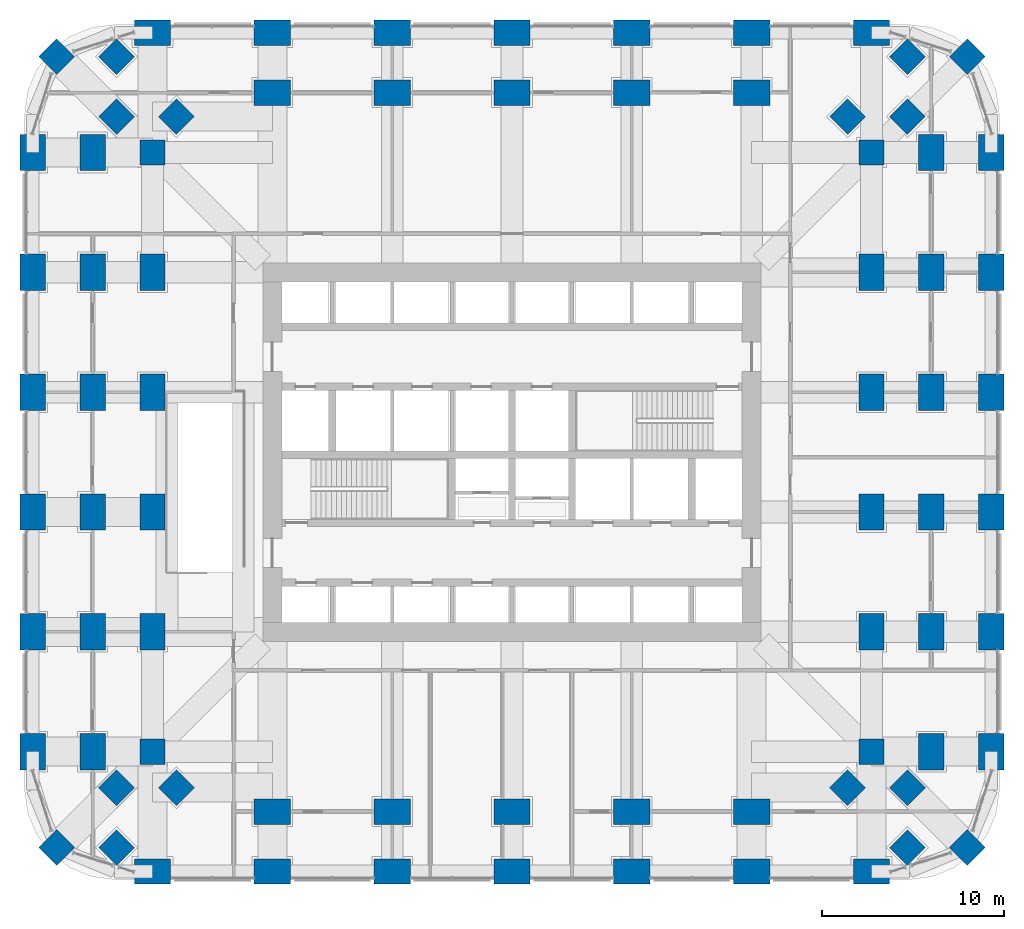
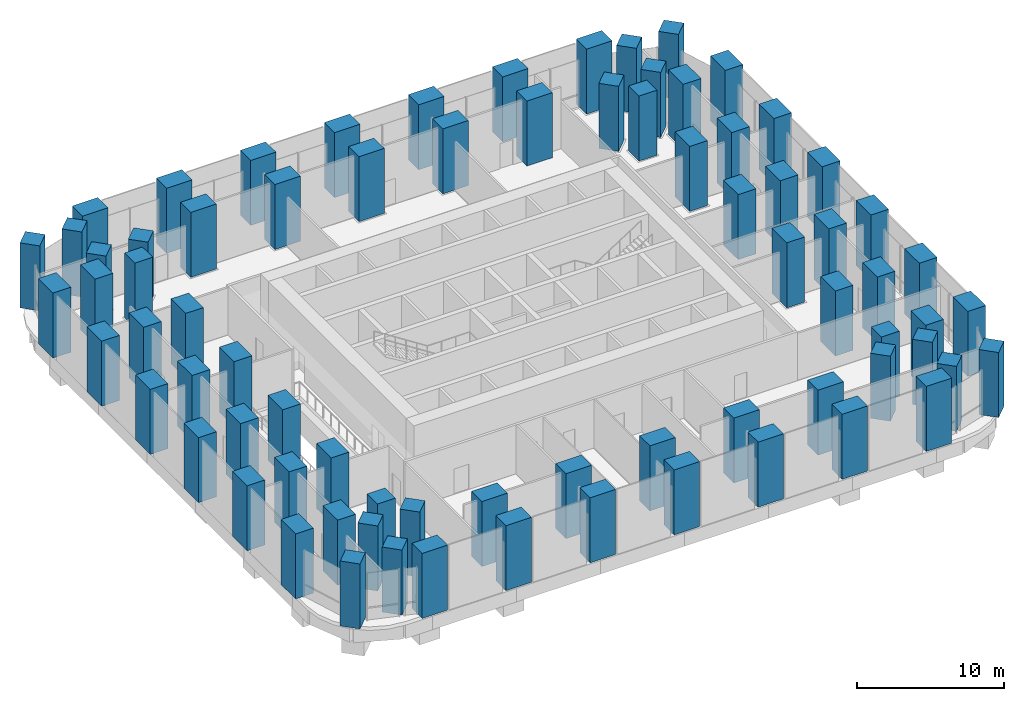
# One storey, part 1 of 17: 76 columns.
"""IFC4 building model written with IfcOpenShell, lengths in metres."""

from ifc_helpers import new_model, si_unit, direction, frame, origin, origin_2d, place, context, subcontext, project, spatial, rectangle, extrude, material, material_profile, profile_set, type_object, element, save


model = new_model("IFC4")

# Units and contexts
model_context = context("Model", 3, precision=1e-05, world=origin(), true_north=direction((0.0, 1.0)))
body_context = subcontext(model_context, "Body", "Model", "MODEL_VIEW")
ifc_project = project(units=[si_unit("LENGTHUNIT", "METRE"), si_unit("AREAUNIT", "SQUARE_METRE"), si_unit("VOLUMEUNIT", "CUBIC_METRE"), si_unit("PLANEANGLEUNIT", "RADIAN"), si_unit("MASSUNIT", "GRAM", prefix="KILO")], contexts=[model_context])

# Site, building, storey
site_placement = place(None, origin())
site = spatial("IfcSite", under=ifc_project, at=site_placement, CompositionType="ELEMENT")
building_placement = place(site_placement, origin())
building = spatial("IfcBuilding", under=site, at=building_placement, Name="Cobogo Forest Laboratory Tower", CompositionType="ELEMENT")
storey_placement = place(building_placement, frame((0.0, 0.0, 7.199951171875)))
storey = spatial("IfcBuildingStorey", under=building, at=storey_placement, Name="L01", CompositionType="ELEMENT", Elevation=7.199951171875)

# Columns
ifc_material = material(Name="Concrete HA-50 (C50/60)", Category="concrete")
ifc_material_profile_1 = material_profile(ifc_material, rectangle(XDim=2.0, YDim=1.39990234375, at=origin_2d()), Name="RC 1400x2000")
ifc_profile_set_1 = profile_set([ifc_material_profile_1], Name="Concrete HA-50 (C50/60)")
column_type_1 = type_object("IfcColumnType", Name="Blade column 1400x2000", PredefinedType="COLUMN", material=ifc_profile_set_1)
for number, where, z_axis, x_axis, name in (
    (1, (6.60009765625, 0.0, 0.0), (0.0, 0.0, 1.0), (1.0, 0.0, 0.0), "Column 2-A L01"),
    (2, (13.199951171875, 0.0, 0.0), (0.0, 0.0, 1.0), (1.0, 0.0, 0.0), "Column 3-A L01"),
    (3, (19.800048828125, 0.0, 0.0), (0.0, 0.0, 1.0), (1.0, 0.0, 0.0), "Column 4-A L01"),
    (4, (26.39990234375, 0.0, 0.0), (0.0, 0.0, 1.0), (1.0, 0.0, 0.0), "Column 5-A L01"),
    (5, (33.0, 0.0, 0.0), (0.0, 0.0, 1.0), (1.0, 0.0, 0.0), "Column 6-A L01"),
    (6, (39.60009765625, 0.0, 0.0), (0.0, 0.0, 1.0), (1.0, 0.0, 0.0), "Column 7-A L01"),
    (7, (46.199951171875, 0.0, 0.0), (0.0, 0.0, 1.0), (1.0, 0.0, 0.0), "Column 8-A L01"),
    (8, (0.0, 6.60009765625, 0.0), (0.0, 0.0, 1.0), (0.0, 1.0, 0.0), "Column 1-B L01"),
    (9, (52.800048828125, 6.60009765625, 0.0), (0.0, 0.0, 1.0), (0.0, 1.0, 0.0), "Column 9-B L01"),
    (10, (0.0, 13.199951171875, 0.0), (0.0, 0.0, 1.0), (0.0, 1.0, 0.0), "Column 1-C L01"),
    (11, (52.800048828125, 13.199951171875, 0.0), (0.0, 0.0, 1.0), (0.0, 1.0, 0.0), "Column 9-C L01"),
    (12, (0.0, 19.800048828125, 0.0), (0.0, 0.0, 1.0), (0.0, 1.0, 0.0), "Column 1-D L01"),
    (13, (52.800048828125, 19.800048828125, 0.0), (0.0, 0.0, 1.0), (0.0, 1.0, 0.0), "Column 9-D L01"),
    (14, (0.0, 26.39990234375, 0.0), (0.0, 0.0, 1.0), (0.0, 1.0, 0.0), "Column 1-E L01"),
    (15, (52.800048828125, 26.39990234375, 0.0), (0.0, 0.0, 1.0), (0.0, 1.0, 0.0), "Column 9-E L01"),
    (16, (0.0, 33.0, 0.0), (0.0, 0.0, 1.0), (0.0, 1.0, 0.0), "Column 1-F L01"),
    (17, (52.800048828125, 33.0, 0.0), (0.0, 0.0, 1.0), (0.0, 1.0, 0.0), "Column 9-F L01"),
    (18, (0.0, 39.60009765625, 0.0), (0.0, 0.0, 1.0), (0.0, 1.0, 0.0), "Column 1-G L01"),
    (19, (52.800048828125, 39.60009765625, 0.0), (0.0, 0.0, 1.0), (0.0, 1.0, 0.0), "Column 9-G L01"),
    (20, (6.60009765625, 46.199951171875, 0.0), (0.0, 0.0, 1.0), (1.0, 0.0, 0.0), "Column 2-H L01"),
    (21, (13.199951171875, 46.199951171875, 0.0), (0.0, 0.0, 1.0), (1.0, 0.0, 0.0), "Column 3-H L01"),
    (22, (19.800048828125, 46.199951171875, 0.0), (0.0, 0.0, 1.0), (1.0, 0.0, 0.0), "Column 4-H L01"),
    (23, (26.39990234375, 46.199951171875, 0.0), (0.0, 0.0, 1.0), (1.0, 0.0, 0.0), "Column 5-H L01"),
    (24, (33.0, 46.199951171875, 0.0), (0.0, 0.0, 1.0), (1.0, 0.0, 0.0), "Column 6-H L01"),
    (25, (39.60009765625, 46.199951171875, 0.0), (0.0, 0.0, 1.0), (1.0, 0.0, 0.0), "Column 7-H L01"),
    (26, (46.199951171875, 46.199951171875, 0.0), (0.0, 0.0, 1.0), (1.0, 0.0, 0.0), "Column 8-H L01"),
    (27, (3.300048828125, 6.60009765625, 0.0), (0.0, 0.0, 1.0), (0.0, 1.0, 0.0), "Column 1.1-B-B L01"),
    (28, (49.5, 6.60009765625, 0.0), (0.0, 0.0, 1.0), (0.0, 1.0, 0.0), "Column 8.1-B-B L01"),
    (29, (3.300048828125, 13.199951171875, 0.0), (0.0, 0.0, 1.0), (0.0, 1.0, 0.0), "Column 1.1-C-B L01"),
    (30, (49.5, 13.199951171875, 0.0), (0.0, 0.0, 1.0), (0.0, 1.0, 0.0), "Column 8.1-C-B L01"),
    (31, (3.300048828125, 19.800048828125, 0.0), (0.0, 0.0, 1.0), (0.0, 1.0, 0.0), "Column 1.1-D-B L01"),
    (32, (49.5, 19.800048828125, 0.0), (0.0, 0.0, 1.0), (0.0, 1.0, 0.0), "Column 8.1-D-B L01"),
    (33, (3.300048828125, 26.39990234375, 0.0), (0.0, 0.0, 1.0), (0.0, 1.0, 0.0), "Column 1.1-E-B L01"),
    (34, (49.5, 26.39990234375, 0.0), (0.0, 0.0, 1.0), (0.0, 1.0, 0.0), "Column 8.1-E-B L01"),
    (35, (3.300048828125, 33.0, 0.0), (0.0, 0.0, 1.0), (0.0, 1.0, 0.0), "Column 1.1-F-B L01"),
    (36, (49.5, 33.0, 0.0), (0.0, 0.0, 1.0), (0.0, 1.0, 0.0), "Column 8.1-F-B L01"),
    (37, (3.300048828125, 39.60009765625, 0.0), (0.0, 0.0, 1.0), (0.0, 1.0, 0.0), "Column 1.1-G-B L01"),
    (38, (49.5, 39.60009765625, 0.0), (0.0, 0.0, 1.0), (0.0, 1.0, 0.0), "Column 8.1-G-B L01"),
    (39, (13.199951171875, 3.300048828125, 0.0), (0.0, 0.0, 1.0), (1.0, 0.0, 0.0), "Column 3-A.1-C L01"),
    (40, (19.800048828125, 3.300048828125, 0.0), (0.0, 0.0, 1.0), (1.0, 0.0, 0.0), "Column 4-A.1-C L01"),
    (41, (26.39990234375, 3.300048828125, 0.0), (0.0, 0.0, 1.0), (1.0, 0.0, 0.0), "Column 5-A.1-C L01"),
    (42, (33.0, 3.300048828125, 0.0), (0.0, 0.0, 1.0), (1.0, 0.0, 0.0), "Column 6-A.1-C L01"),
    (43, (39.60009765625, 3.300048828125, 0.0), (0.0, 0.0, 1.0), (1.0, 0.0, 0.0), "Column 7-A.1-C L01"),
    (44, (13.199951171875, 42.89990234375, 0.0), (0.0, 0.0, 1.0), (1.0, 0.0, 0.0), "Column 3-G.1-C L01"),
    (45, (19.800048828125, 42.89990234375, 0.0), (0.0, 0.0, 1.0), (1.0, 0.0, 0.0), "Column 4-G.1-C L01"),
    (46, (26.39990234375, 42.89990234375, 0.0), (0.0, 0.0, 1.0), (1.0, 0.0, 0.0), "Column 5-G.1-C L01"),
    (47, (33.0, 42.89990234375, 0.0), (0.0, 0.0, 1.0), (1.0, 0.0, 0.0), "Column 6-G.1-C L01"),
    (48, (39.60009765625, 42.89990234375, 0.0), (0.0, 0.0, 1.0), (1.0, 0.0, 0.0), "Column 7-G.1-C L01"),
    (49, (6.60009765625, 13.199951171875, 0.0), (0.0, 0.0, 1.0), (0.0, 1.0, 0.0), "Column 2-C-D L01"),
    (50, (46.199951171875, 13.199951171875, 0.0), (0.0, 0.0, 1.0), (0.0, 1.0, 0.0), "Column 8-C-D L01"),
    (51, (6.60009765625, 19.800048828125, 0.0), (0.0, 0.0, 1.0), (0.0, 1.0, 0.0), "Column 2-D-D L01"),
    (52, (46.199951171875, 19.800048828125, 0.0), (0.0, 0.0, 1.0), (0.0, 1.0, 0.0), "Column 8-D-D L01"),
    (53, (6.60009765625, 26.39990234375, 0.0), (0.0, 0.0, 1.0), (0.0, 1.0, 0.0), "Column 2-E-D L01"),
    (54, (46.199951171875, 26.39990234375, 0.0), (0.0, 0.0, 1.0), (0.0, 1.0, 0.0), "Column 8-E-D L01"),
    (55, (6.60009765625, 33.0, 0.0), (0.0, 0.0, 1.0), (0.0, 1.0, 0.0), "Column 2-F-D L01"),
    (56, (46.199951171875, 33.0, 0.0), (0.0, 0.0, 1.0), (0.0, 1.0, 0.0), "Column 8-F-D L01"),
):
    element("IfcColumn", number, at=place(storey_placement, frame(where, z_axis=z_axis, x_axis=x_axis)), inside=storey, type_object=column_type_1, Name=name, PredefinedType="COLUMN", context=body_context, shape_type="SweptSolid", body=[
        extrude(rectangle(XDim=2.0, YDim=1.39990234375, at=origin_2d()), origin(), (0.0, 0.0, 1.0), 5.400146484375),
    ])
ifc_material_profile_2 = material_profile(ifc_material, rectangle(XDim=1.39990234375, YDim=1.39990234375, at=origin_2d()), Name="RC 1400x1400")
ifc_profile_set_2 = profile_set([ifc_material_profile_2], Name="Concrete HA-50 (C50/60)")
column_type_2 = type_object("IfcColumnType", Name="Column 1400x1400", PredefinedType="COLUMN", material=ifc_profile_set_2)
for number, where, z_axis, x_axis, name in (
    (57, (1.318115234375, 1.318115234375, 0.0), (0.0, 0.0, 1.0), (0.707106781187, 0.707106781187, 0.0), "Column CNR-SW L01"),
    (58, (51.48193359375, 1.318115234375, 0.0), (0.0, 0.0, 1.0), (0.707106781187, 0.707106781187, 0.0), "Column CNR-SE L01"),
    (59, (1.318115234375, 44.882080078125, 0.0), (0.0, 0.0, 1.0), (0.707106781187, 0.707106781187, 0.0), "Column CNR-NW L01"),
    (60, (51.48193359375, 44.882080078125, 0.0), (0.0, 0.0, 1.0), (0.707106781187, 0.707106781187, 0.0), "Column CNR-NE L01"),
    (61, (6.60009765625, 6.60009765625, 0.0), (0.0, 0.0, 1.0), (1.0, 0.0, 0.0), "Column 2-B L01"),
    (62, (46.199951171875, 6.60009765625, 0.0), (0.0, 0.0, 1.0), (1.0, 0.0, 0.0), "Column 8-B L01"),
    (63, (6.60009765625, 39.60009765625, 0.0), (0.0, 0.0, 1.0), (1.0, 0.0, 0.0), "Column 2-G L01"),
    (64, (46.199951171875, 39.60009765625, 0.0), (0.0, 0.0, 1.0), (1.0, 0.0, 0.0), "Column 8-G L01"),
    (65, (4.617919921875, 1.318115234375, 0.0), (0.0, 0.0, 1.0), (0.707106781187, 0.707106781187, 0.0), "Column CNR-SW-B L01"),
    (66, (48.181884765625, 1.318115234375, 0.0), (0.0, 0.0, 1.0), (0.707106781187, 0.707106781187, 0.0), "Column CNR-SE-B L01"),
    (67, (4.617919921875, 44.882080078125, 0.0), (0.0, 0.0, 1.0), (0.707106781187, 0.707106781187, 0.0), "Column CNR-NW-B L01"),
    (68, (48.181884765625, 44.882080078125, 0.0), (0.0, 0.0, 1.0), (0.707106781187, 0.707106781187, 0.0), "Column CNR-NE-B L01"),
    (69, (4.617919921875, 4.617919921875, 0.0), (0.0, 0.0, 1.0), (0.707106781187, 0.707106781187, 0.0), "Column CNR-SW-C L01"),
    (70, (48.181884765625, 4.617919921875, 0.0), (0.0, 0.0, 1.0), (0.707106781187, 0.707106781187, 0.0), "Column CNR-SE-C L01"),
    (71, (4.617919921875, 41.58203125, 0.0), (0.0, 0.0, 1.0), (0.707106781187, 0.707106781187, 0.0), "Column CNR-NW-C L01"),
    (72, (48.181884765625, 41.58203125, 0.0), (0.0, 0.0, 1.0), (0.707106781187, 0.707106781187, 0.0), "Column CNR-NE-C L01"),
    (73, (7.91796875, 4.617919921875, 0.0), (0.0, 0.0, 1.0), (0.707106781187, 0.707106781187, 0.0), "Column CNR-SW-D L01"),
    (74, (44.882080078125, 4.617919921875, 0.0), (0.0, 0.0, 1.0), (0.707106781187, 0.707106781187, 0.0), "Column CNR-SE-D L01"),
    (75, (7.91796875, 41.58203125, 0.0), (0.0, 0.0, 1.0), (0.707106781187, 0.707106781187, 0.0), "Column CNR-NW-D L01"),
    (76, (44.882080078125, 41.58203125, 0.0), (0.0, 0.0, 1.0), (0.707106781187, 0.707106781187, 0.0), "Column CNR-NE-D L01"),
):
    element("IfcColumn", number, at=place(storey_placement, frame(where, z_axis=z_axis, x_axis=x_axis)), inside=storey, type_object=column_type_2, Name=name, PredefinedType="COLUMN", context=body_context, shape_type="SweptSolid", body=[
        extrude(rectangle(XDim=1.39990234375, YDim=1.39990234375, at=origin_2d()), origin(), (0.0, 0.0, 1.0), 5.400146484375),
    ])

save(model, "model.ifc")
